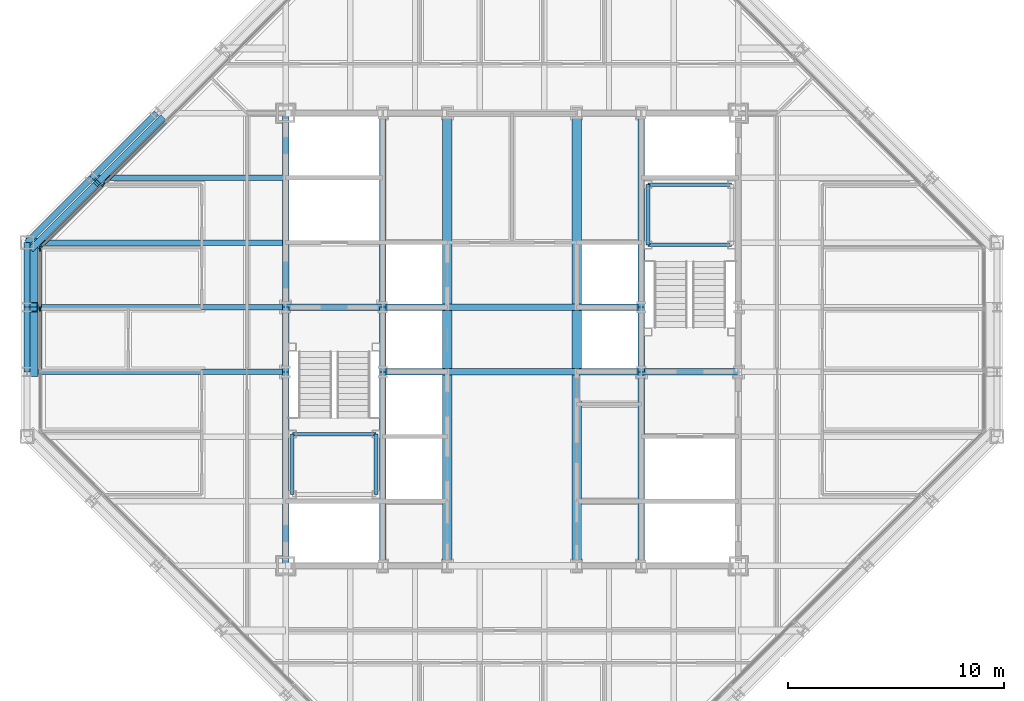
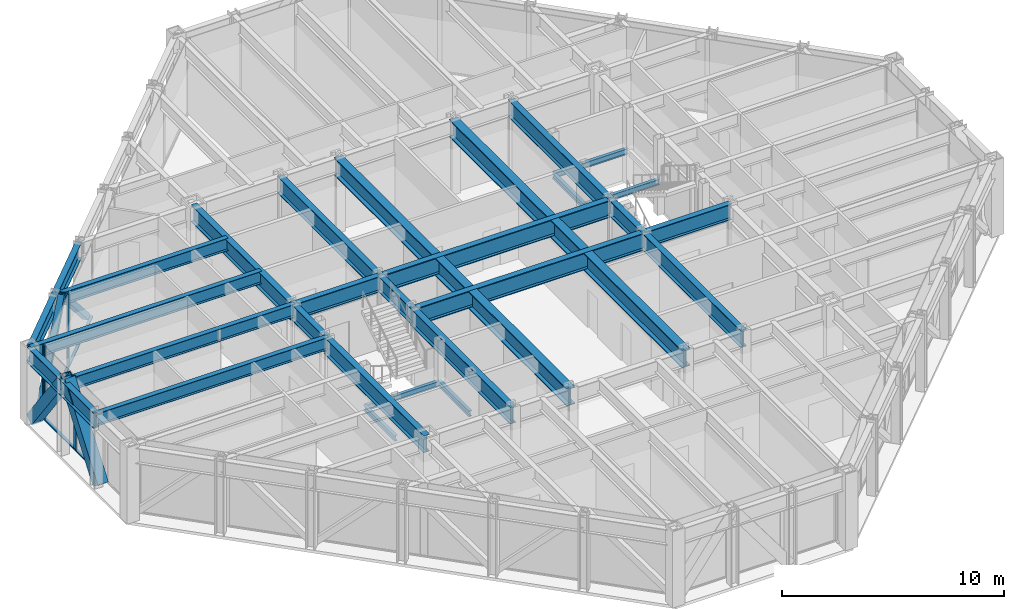
# One storey, part 6 of 15: 33 beams, 12 members, 2 elements without a shape of their own.
"""IFC4 building model written with IfcOpenShell, lengths in metres."""

from ifc_helpers import new_model, si_unit, direction, frame, origin, origin_2d, place, context, subcontext, project, spatial, rectangle, hollow_rectangle, i_section, extrude, material, layer, layer_set, material_profile, profile_set, type_object, element, aggregate, save


model = new_model("IFC4")

# Units and contexts
model_context = context("Model", 3, precision=1e-05, world=origin(), true_north=direction((0.0, 1.0)))
body_context = subcontext(model_context, "Body", "Model", "MODEL_VIEW")
ifc_project = project(units=[si_unit("LENGTHUNIT", "METRE"), si_unit("AREAUNIT", "SQUARE_METRE"), si_unit("VOLUMEUNIT", "CUBIC_METRE"), si_unit("PLANEANGLEUNIT", "RADIAN"), si_unit("MASSUNIT", "GRAM", prefix="KILO")], contexts=[model_context])

# Site, building, storey
site_placement = place(None, origin())
site = spatial("IfcSite", under=ifc_project, at=site_placement, CompositionType="ELEMENT")
building_placement = place(site_placement, origin())
building = spatial("IfcBuilding", under=site, at=building_placement, Name="Chuquiago Exchange Tower", CompositionType="ELEMENT")
storey_placement = place(building_placement, frame((0.0, 0.0, 262.199951171875)))
storey = spatial("IfcBuildingStorey", under=building, at=storey_placement, Name="L58", CompositionType="ELEMENT", Elevation=262.199951171875)

# Beams
ifc_material_1 = material(Name="Steel ASTM A992", Category="steel")
ifc_material_profile_1 = material_profile(ifc_material_1, i_section(OverallWidth=0.25390625, OverallDepth=0.683349609375, WebThickness=0.012451171875, FlangeThickness=0.018798828125, at=origin_2d()), Name="W27X94")
ifc_profile_set_1 = profile_set([ifc_material_profile_1], Name="Steel ASTM A992")
beam_type_1 = type_object("IfcBeamType", Name="B1 W27X94", PredefinedType="BEAM", material=ifc_profile_set_1)
for number, where, z_axis, x_axis, name in (
    (1, (12.0, 21.0, 3.698486328125), (-1.0, 0.0, 0.0), (0.0, -1.0, 0.0), "FB-L59-infill-12_21--0_21-0"),
    (2, (12.0, 24.0, 3.698486328125), (-1.0, 0.0, 0.0), (0.0, -1.0, 0.0), "FB-L59-infill-12_24--0_24-0"),
    (3, (12.0, 27.0, 3.698486328125), (-1.0, 0.0, 0.0), (0.0, -1.0, 0.0), "FB-L59-infill-12_27--0_27-0"),
):
    element("IfcBeam", number, at=place(storey_placement, frame(where, z_axis=z_axis, x_axis=x_axis)), inside=storey, type_object=beam_type_1, Name=name, PredefinedType="BEAM", context=body_context, shape_type="SweptSolid", body=[
        extrude(i_section(OverallWidth=0.25390625, OverallDepth=0.683349609375, WebThickness=0.012451171875, FlangeThickness=0.018798828125, at=origin_2d()), origin(), (0.0, 0.0, 1.0), 12.0),
    ])
beam_1_placement = place(storey_placement, frame((12.0, 30.0, 3.698486328125), z_axis=(-1.0, 0.0, 0.0), x_axis=(0.0, -1.0, 0.0)))
element("IfcBeam", 4, at=beam_1_placement, inside=storey, type_object=beam_type_1, Name="FB-L59-infill-12_30-3_30-0", PredefinedType="BEAM", context=body_context, shape_type="SweptSolid", body=[
    extrude(i_section(OverallWidth=0.25390625, OverallDepth=0.683349609375, WebThickness=0.012451171875, FlangeThickness=0.018798828125, at=origin_2d()), origin(), (0.0, 0.0, 1.0), 9.0),
])
ifc_material_2 = material(Name="Steel ASTM A992", Category="steel")
ifc_material_profile_2 = material_profile(ifc_material_2, i_section(OverallWidth=0.307373046875, OverallDepth=0.927001953125, WebThickness=0.01953125, FlangeThickness=0.031982421875, at=origin_2d()), Name="W36X194")
ifc_profile_set_2 = profile_set([ifc_material_profile_2], Name="Steel ASTM A992")
beam_type_2 = type_object("IfcBeamType", Name="B10 W36X194", PredefinedType="BEAM", material=ifc_profile_set_2)
for number, where, z_axis, x_axis, name in (
    (5, (12.0, 12.0, 3.576416015625), (0.0, 1.0, 0.0), (-1.0, 0.0, 0.0), "CB-L59-12_12-12_21"),
    (6, (12.0, 24.0, 3.576416015625), (0.0, 1.0, 0.0), (-1.0, 0.0, 0.0), "CB-L59-12_24-12_33"),
    (7, (16.5, 12.0, 3.576416015625), (0.0, 1.0, 0.0), (-1.0, 0.0, 0.0), "CB-L59-16.5_12-16.5_21"),
    (8, (16.5, 24.0, 3.576416015625), (0.0, 1.0, 0.0), (-1.0, 0.0, 0.0), "CB-L59-16.5_24-16.5_33"),
    (9, (28.5, 12.0, 3.576416015625), (0.0, 1.0, 0.0), (-1.0, 0.0, 0.0), "CB-L59-28.5_12-28.5_21"),
    (10, (28.5, 24.0, 3.576416015625), (0.0, 1.0, 0.0), (-1.0, 0.0, 0.0), "CB-L59-28.5_24-28.5_33"),
):
    element("IfcBeam", number, at=place(storey_placement, frame(where, z_axis=z_axis, x_axis=x_axis)), inside=storey, type_object=beam_type_2, Name=name, PredefinedType="BEAM", context=body_context, shape_type="SweptSolid", body=[
        extrude(i_section(OverallWidth=0.307373046875, OverallDepth=0.927001953125, WebThickness=0.01953125, FlangeThickness=0.031982421875, at=origin_2d()), origin(), (0.0, 0.0, 1.0), 9.0),
    ])
ifc_material_3 = material(Name="Steel ASTM A992", Category="steel")
ifc_material_profile_3 = material_profile(ifc_material_3, i_section(OverallWidth=0.309814453125, OverallDepth=0.949951171875, WebThickness=0.0244140625, FlangeThickness=0.0439453125, at=origin_2d()), Name="W36X256")
ifc_profile_set_3 = profile_set([ifc_material_profile_3], Name="Steel ASTM A992")
beam_type_3 = type_object("IfcBeamType", Name="B11 W36X256", PredefinedType="BEAM", material=ifc_profile_set_3)
for number, where, z_axis, x_axis, name in (
    (11, (16.5, 21.0, 3.56494140625), (1.0, 0.0, 0.0), (0.0, 1.0, 0.0), "CB-L59-16.5_21-28.5_21"),
    (12, (16.5, 24.0, 3.56494140625), (1.0, 0.0, 0.0), (0.0, 1.0, 0.0), "CB-L59-16.5_24-28.5_24"),
):
    element("IfcBeam", number, at=place(storey_placement, frame(where, z_axis=z_axis, x_axis=x_axis)), inside=storey, type_object=beam_type_3, Name=name, PredefinedType="BEAM", context=body_context, shape_type="SweptSolid", body=[
        extrude(i_section(OverallWidth=0.309814453125, OverallDepth=0.949951171875, WebThickness=0.0244140625, FlangeThickness=0.0439453125, at=origin_2d()), origin(), (0.0, 0.0, 1.0), 12.0),
    ])
ifc_material_4 = material(Name="Steel ASTM A992", Category="steel")
ifc_material_profile_4 = material_profile(ifc_material_4, i_section(OverallWidth=0.4267578125, OverallDepth=0.975341796875, WebThickness=0.031005859375, FlangeThickness=0.055908203125, at=origin_2d()), Name="W36X395")
ifc_profile_set_4 = profile_set([ifc_material_profile_4], Name="Steel ASTM A992")
beam_type_4 = type_object("IfcBeamType", Name="B12 W36X395", PredefinedType="BEAM", material=ifc_profile_set_4)
beam_2_placement = place(storey_placement, frame((19.5, 12.0, 3.55224609375), z_axis=(0.0, 1.0, 0.0), x_axis=(-1.0, 0.0, 0.0)))
element("IfcBeam", 13, at=beam_2_placement, inside=storey, type_object=beam_type_4, Name="CB-L59-19.5_12-19.5_20.8451", PredefinedType="BEAM", context=body_context, shape_type="SweptSolid", body=[
    extrude(i_section(OverallWidth=0.4267578125, OverallDepth=0.975341796875, WebThickness=0.031005859375, FlangeThickness=0.055908203125, at=origin_2d()), origin(), (0.0, 0.0, 1.0), 8.84521484375),
])
beam_3_placement = place(storey_placement, frame((19.5, 21.15478515625, 3.55224609375), z_axis=(0.0, 1.0, 0.0), x_axis=(-1.0, 0.0, 0.0)))
element("IfcBeam", 14, at=beam_3_placement, inside=storey, type_object=beam_type_4, Name="CB-L59-19.5_21.1549-19.5_23.8451", PredefinedType="BEAM", context=body_context, shape_type="SweptSolid", body=[
    extrude(i_section(OverallWidth=0.4267578125, OverallDepth=0.975341796875, WebThickness=0.031005859375, FlangeThickness=0.055908203125, at=origin_2d()), origin(), (0.0, 0.0, 1.0), 2.6904296875),
])
for number, where, z_axis, x_axis, name in (
    (15, (19.5, 24.15478515625, 3.55224609375), (0.0, 1.0, 0.0), (-1.0, 0.0, 0.0), "CB-L59-19.5_24.1549-19.5_33"),
    (16, (25.5, 12.0, 3.55224609375), (0.0, 1.0, 0.0), (-1.0, 0.0, 0.0), "CB-L59-25.5_12-25.5_20.8451"),
):
    element("IfcBeam", number, at=place(storey_placement, frame(where, z_axis=z_axis, x_axis=x_axis)), inside=storey, type_object=beam_type_4, Name=name, PredefinedType="BEAM", context=body_context, shape_type="SweptSolid", body=[
        extrude(i_section(OverallWidth=0.4267578125, OverallDepth=0.975341796875, WebThickness=0.031005859375, FlangeThickness=0.055908203125, at=origin_2d()), origin(), (0.0, 0.0, 1.0), 8.84521484375),
    ])
beam_4_placement = place(storey_placement, frame((25.5, 21.15478515625, 3.55224609375), z_axis=(0.0, 1.0, 0.0), x_axis=(-1.0, 0.0, 0.0)))
element("IfcBeam", 17, at=beam_4_placement, inside=storey, type_object=beam_type_4, Name="CB-L59-25.5_21.1549-25.5_23.8451", PredefinedType="BEAM", context=body_context, shape_type="SweptSolid", body=[
    extrude(i_section(OverallWidth=0.4267578125, OverallDepth=0.975341796875, WebThickness=0.031005859375, FlangeThickness=0.055908203125, at=origin_2d()), origin(), (0.0, 0.0, 1.0), 2.6904296875),
])
beam_5_placement = place(storey_placement, frame((25.5, 24.15478515625, 3.55224609375), z_axis=(0.0, 1.0, 0.0), x_axis=(-1.0, 0.0, 0.0)))
element("IfcBeam", 18, at=beam_5_placement, inside=storey, type_object=beam_type_4, Name="CB-L59-25.5_24.1549-25.5_33", PredefinedType="BEAM", context=body_context, shape_type="SweptSolid", body=[
    extrude(i_section(OverallWidth=0.4267578125, OverallDepth=0.975341796875, WebThickness=0.031005859375, FlangeThickness=0.055908203125, at=origin_2d()), origin(), (0.0, 0.0, 1.0), 8.84521484375),
])
ifc_material_5 = material(Name="Steel ASTM A992", Category="steel")
ifc_material_profile_5 = material_profile(ifc_material_5, i_section(OverallWidth=0.2919921875, OverallDepth=0.8583984375, WebThickness=0.01708984375, FlangeThickness=0.031005859375, at=origin_2d()), Name="W33X169")
ifc_profile_set_5 = profile_set([ifc_material_profile_5], Name="Steel ASTM A992")
beam_type_5 = type_object("IfcBeamType", Name="B3 W33X169", PredefinedType="BEAM", material=ifc_profile_set_5)
for number, where, z_axis, x_axis, name in (
    (19, (12.0, 21.0, 3.61083984375), (0.0, 1.0, 0.0), (-1.0, 0.0, 0.0), "CB-L59-12_21-12_24"),
    (20, (16.5, 21.0, 3.61083984375), (0.0, 1.0, 0.0), (-1.0, 0.0, 0.0), "CB-L59-16.5_21-16.5_24"),
    (21, (28.5, 21.0, 3.61083984375), (0.0, 1.0, 0.0), (-1.0, 0.0, 0.0), "CB-L59-28.5_21-28.5_24"),
):
    element("IfcBeam", number, at=place(storey_placement, frame(where, z_axis=z_axis, x_axis=x_axis)), inside=storey, type_object=beam_type_5, Name=name, PredefinedType="BEAM", context=body_context, shape_type="SweptSolid", body=[
        extrude(i_section(OverallWidth=0.2919921875, OverallDepth=0.8583984375, WebThickness=0.01708984375, FlangeThickness=0.031005859375, at=origin_2d()), origin(), (0.0, 0.0, 1.0), 3.0),
    ])
for number, where, z_axis, x_axis, name in (
    (22, (28.5, 21.0, 3.61083984375), (1.0, 0.0, 0.0), (0.0, 1.0, 0.0), "CB-L59-28.5_21-33_21"),
    (23, (12.0, 24.0, 3.61083984375), (1.0, 0.0, 0.0), (0.0, 1.0, 0.0), "CB-L59-12_24-16.5_24"),
):
    element("IfcBeam", number, at=place(storey_placement, frame(where, z_axis=z_axis, x_axis=x_axis)), inside=storey, type_object=beam_type_5, Name=name, PredefinedType="BEAM", context=body_context, shape_type="SweptSolid", body=[
        extrude(i_section(OverallWidth=0.2919921875, OverallDepth=0.8583984375, WebThickness=0.01708984375, FlangeThickness=0.031005859375, at=origin_2d()), origin(), (0.0, 0.0, 1.0), 4.5),
    ])

# Curtain wall, members
ifc_material_6 = material(Name="Aluminium curtain wall system", Category="aluminium")
ifc_layer_1 = layer(ifc_material_6, 0.22509765625)
ifc_layer_set_1 = layer_set([ifc_layer_1], Name="CW2 office curtain wall")
curtain_wall_type_1 = type_object("IfcCurtainWallType", Name="CW2 office curtain wall", PredefinedType="NOTDEFINED", material=ifc_layer_set_1)
curtain_wall_1_placement = place(storey_placement, origin())
curtain_wall_1 = element("IfcCurtainWall", 24, at=curtain_wall_1_placement, inside=storey, type_object=curtain_wall_type_1, Name="CW2 curtain wall L58", PredefinedType="NOTDEFINED")
ifc_material_7 = material(Name="Aluminium mullion, pale anodised", Category="aluminium")
ifc_material_profile_6 = material_profile(ifc_material_7, rectangle(XDim=0.06494140625, YDim=0.22509765625, at=origin_2d()), Name="AL 65x225")
ifc_profile_set_6 = profile_set([ifc_material_profile_6], Name="Aluminium mullion, pale anodised")
member_type_1 = type_object("IfcMemberType", Name="CW2-M mullion 65x225", PredefinedType="MULLION", material=ifc_profile_set_6)
member_1_placement = place(storey_placement, frame((0.60009765625, 26.718994140625, 0.0), z_axis=(0.0, 0.0, 1.0), x_axis=(1.0, 0.0, 0.0)))
member_1 = element("IfcMember", 25, at=member_1_placement, type_object=member_type_1, Name="CW2 mullion 1", PredefinedType="MULLION", context=body_context, shape_type="SweptSolid", body=[
    extrude(rectangle(XDim=0.06494140625, YDim=0.22509765625, at=origin_2d()), origin(), (0.0, 0.0, 1.0), 4.0400390625),
])
member_2_placement = place(storey_placement, frame((0.60009765625, 23.917236328125, 0.0), z_axis=(0.0, 0.0, 1.0), x_axis=(1.0, 0.0, 0.0)))
member_2 = element("IfcMember", 26, at=member_2_placement, type_object=member_type_1, Name="CW2 mullion 2", PredefinedType="MULLION", context=body_context, shape_type="SweptSolid", body=[
    extrude(rectangle(XDim=0.06494140625, YDim=0.22509765625, at=origin_2d()), origin(), (0.0, 0.0, 1.0), 4.0400390625),
])
ifc_material_8 = material(Name="Aluminium transom, pale anodised", Category="aluminium")
ifc_material_profile_7 = material_profile(ifc_material_8, rectangle(XDim=0.139892578125, YDim=0.06494140625, at=origin_2d()), Name="AL 140x65")
ifc_profile_set_7 = profile_set([ifc_material_profile_7], Name="Aluminium transom, pale anodised")
member_type_2 = type_object("IfcMemberType", Name="CW2-T transom 65x140", PredefinedType="MULLION", material=ifc_profile_set_7)
member_3_placement = place(storey_placement, frame((0.60009765625, 26.6865234375, 0.032470703125), z_axis=(0.0, -1.0, 0.0), x_axis=(1.0, 0.0, 0.0)))
member_3 = element("IfcMember", 27, at=member_3_placement, type_object=member_type_2, Name="CW2 transom 1.1", PredefinedType="MULLION", context=body_context, shape_type="SweptSolid", body=[
    extrude(rectangle(XDim=0.139892578125, YDim=0.06494140625, at=origin_2d()), origin(), (0.0, 0.0, 1.0), 2.73681640625),
])
member_4_placement = place(storey_placement, frame((0.60009765625, 23.884765625, 0.032470703125), z_axis=(0.0, -1.0, 0.0), x_axis=(1.0, 0.0, 0.0)))
member_4 = element("IfcMember", 28, at=member_4_placement, type_object=member_type_2, Name="CW2 transom 2.1", PredefinedType="MULLION", context=body_context, shape_type="SweptSolid", body=[
    extrude(rectangle(XDim=0.139892578125, YDim=0.06494140625, at=origin_2d()), origin(), (0.0, 0.0, 1.0), 2.76953125),
])
aggregate(curtain_wall_1, [member_1, member_2, member_3, member_4])

ifc_material_9 = material(Name="Aluminium curtain wall system", Category="aluminium")
ifc_layer_2 = layer(ifc_material_9, 0.199951171875)
ifc_layer_set_2 = layer_set([ifc_layer_2], Name="CW3 facet curtain wall")
curtain_wall_type_2 = type_object("IfcCurtainWallType", Name="CW3 facet curtain wall", PredefinedType="NOTDEFINED", material=ifc_layer_set_2)
curtain_wall_2_placement = place(storey_placement, origin())
curtain_wall_2 = element("IfcCurtainWall", 29, at=curtain_wall_2_placement, inside=storey, type_object=curtain_wall_type_2, Name="CW3 curtain wall L58", PredefinedType="NOTDEFINED")
ifc_material_10 = material(Name="Aluminium mullion, pale anodised", Category="aluminium")
ifc_material_profile_8 = material_profile(ifc_material_10, rectangle(XDim=0.06494140625, YDim=0.199951171875, at=origin_2d()), Name="AL 65x200")
ifc_profile_set_8 = profile_set([ifc_material_profile_8], Name="Aluminium mullion, pale anodised")
member_type_3 = type_object("IfcMemberType", Name="CW3-M mullion 65x200", PredefinedType="MULLION", material=ifc_profile_set_8)
member_5_placement = place(storey_placement, frame((3.54150390625, 29.69287109375, 0.0), z_axis=(0.0, 0.0, 1.0), x_axis=(0.707106781187, -0.707106781187, 0.0)))
member_5 = element("IfcMember", 30, at=member_5_placement, type_object=member_type_3, Name="CW3 mullion 6", PredefinedType="MULLION", context=body_context, shape_type="SweptSolid", body=[
    extrude(rectangle(XDim=0.06494140625, YDim=0.199951171875, at=origin_2d()), origin(), (0.0, 0.0, 1.0), 4.0400390625),
])
member_6_placement = place(storey_placement, frame((0.623046875, 26.7744140625, 0.0), z_axis=(0.0, 0.0, 1.0), x_axis=(0.707106781187, -0.707106781187, 0.0)))
member_6 = element("IfcMember", 31, at=member_6_placement, type_object=member_type_3, Name="CW3 mullion 7", PredefinedType="MULLION", context=body_context, shape_type="SweptSolid", body=[
    extrude(rectangle(XDim=0.06494140625, YDim=0.199951171875, at=origin_2d()), origin(), (0.0, 0.0, 1.0), 4.0400390625),
])
ifc_material_11 = material(Name="Aluminium transom, pale anodised", Category="aluminium")
ifc_material_profile_9 = material_profile(ifc_material_11, rectangle(XDim=0.139892578125, YDim=0.06494140625, at=origin_2d()), Name="AL 140x65")
ifc_profile_set_9 = profile_set([ifc_material_profile_9], Name="Aluminium transom, pale anodised")
member_type_4 = type_object("IfcMemberType", Name="CW3-T transom 65x140", PredefinedType="MULLION", material=ifc_profile_set_9)
member_7_placement = place(storey_placement, frame((6.4599609375, 32.611328125, 0.032470703125), z_axis=(-0.707106781187, -0.707106781187, 0.0), x_axis=(0.707106781187, -0.707106781187, 0.0)))
member_7 = element("IfcMember", 32, at=member_7_placement, type_object=member_type_4, Name="CW3 transom 5.1", PredefinedType="MULLION", context=body_context, shape_type="SweptSolid", body=[
    extrude(rectangle(XDim=0.139892578125, YDim=0.06494140625, at=origin_2d()), origin(), (0.0, 0.0, 1.0), 4.094970703125),
])
member_8_placement = place(storey_placement, frame((3.5185546875, 29.669921875, 0.032470703125), z_axis=(-0.707106781187, -0.707106781187, 0.0), x_axis=(0.707106781187, -0.707106781187, 0.0)))
member_8 = element("IfcMember", 33, at=member_8_placement, type_object=member_type_4, Name="CW3 transom 6.1", PredefinedType="MULLION", context=body_context, shape_type="SweptSolid", body=[
    extrude(rectangle(XDim=0.139892578125, YDim=0.06494140625, at=origin_2d()), origin(), (0.0, 0.0, 1.0), 4.0625),
])
aggregate(curtain_wall_2, [member_5, member_6, member_7, member_8])

# Members
ifc_material_12 = material(Name="Steel ASTM A500 Grade C", Category="steel")
ifc_material_profile_10 = material_profile(ifc_material_12, hollow_rectangle(XDim=0.3046875, YDim=0.3046875, WallThickness=0.0146484375, at=origin_2d()), Name="HSS12X12X5/8")
ifc_profile_set_10 = profile_set([ifc_material_profile_10], Name="Steel ASTM A500 Grade C")
member_type_5 = type_object("IfcMemberType", Name="LB3 HSS12X12X5/8", PredefinedType="BRACE", material=ifc_profile_set_10)
for number, where, z_axis, x_axis, name in (
    (34, (6.249267578125, 32.750732421875, 0.0), (-0.512077265487, -0.512077265487, 0.689604051861), (0.707106781187, -0.707106781187, 0.0), "LB-L58-6_33-3_30"),
    (35, (0.249267578125, 26.750732421875, 0.0), (0.512077265487, 0.512077265487, 0.689604051861), (-0.707106781187, 0.707106781187, 0.0), "LB-L58-3_30-0_27"),
):
    element("IfcMember", number, at=place(storey_placement, frame(where, z_axis=z_axis, x_axis=x_axis)), inside=storey, type_object=member_type_5, Name=name, PredefinedType="BRACE", context=body_context, shape_type="SweptSolid", body=[
        extrude(hollow_rectangle(XDim=0.3046875, YDim=0.3046875, WallThickness=0.0146484375, at=origin_2d()), origin(), (0.0, 0.0, 1.0), 5.8583984375),
    ])

# Beams
ifc_material_13 = material(Name="Steel ASTM A992", Category="steel")
ifc_material_profile_11 = material_profile(ifc_material_13, i_section(OverallWidth=0.164794921875, OverallDepth=0.309814453125, WebThickness=0.005859375, FlangeThickness=0.009765625, at=origin_2d()), Name="W12X26")
ifc_profile_set_11 = profile_set([ifc_material_profile_11], Name="Steel ASTM A992")
beam_type_6 = type_object("IfcBeamType", Name="LS1 W12X26", PredefinedType="BEAM", material=ifc_profile_set_11)
for number, where, z_axis, x_axis, name in (
    (36, (12.31005859375, 15.31005859375, 1.7451171875), (0.0, 1.0, 0.0), (-1.0, 0.0, 0.0), "Stair ST1 L58 landing 1 stringer"),
    (37, (16.18994140625, 15.31005859375, 1.7451171875), (0.0, 1.0, 0.0), (-1.0, 0.0, 0.0), "Stair ST1 L58 landing 1 stringer"),
    (38, (28.81005859375, 26.889892578125, 1.7451171875), (0.0, 1.0, 0.0), (-1.0, 0.0, 0.0), "Stair ST2 L58 landing 1 stringer"),
):
    element("IfcBeam", number, at=place(storey_placement, frame(where, z_axis=z_axis, x_axis=x_axis)), inside=storey, type_object=beam_type_6, Name=name, PredefinedType="BEAM", context=body_context, shape_type="SweptSolid", body=[
        extrude(i_section(OverallWidth=0.164794921875, OverallDepth=0.309814453125, WebThickness=0.005859375, FlangeThickness=0.009765625, at=origin_2d()), origin(), (0.0, 0.0, 1.0), 2.800048828125),
    ])
ifc_material_14 = material(Name="Steel ASTM A992", Category="steel")
ifc_material_profile_12 = material_profile(ifc_material_14, i_section(OverallWidth=0.164794921875, OverallDepth=0.309814453125, WebThickness=0.005859375, FlangeThickness=0.009765625, at=origin_2d()), Name="W12X26")
ifc_profile_set_12 = profile_set([ifc_material_profile_12], Name="Steel ASTM A992")
beam_type_7 = type_object("IfcBeamType", Name="LT1 W12X26", PredefinedType="BEAM", material=ifc_profile_set_12)
for number, where, z_axis, x_axis, name in (
    (39, (12.31005859375, 18.110107421875, 1.7451171875), (1.0, 0.0, 0.0), (0.0, 1.0, 0.0), "Stair ST1 L58 landing 1 trimmer"),
    (40, (28.81005859375, 29.68994140625, 1.7451171875), (1.0, 0.0, 0.0), (0.0, 1.0, 0.0), "Stair ST2 L58 landing 1 trimmer"),
    (41, (28.81005859375, 26.889892578125, 1.7451171875), (1.0, 0.0, 0.0), (0.0, 1.0, 0.0), "Stair ST2 L58 landing 1 trimmer"),
):
    element("IfcBeam", number, at=place(storey_placement, frame(where, z_axis=z_axis, x_axis=x_axis)), inside=storey, type_object=beam_type_7, Name=name, PredefinedType="BEAM", context=body_context, shape_type="SweptSolid", body=[
        extrude(i_section(OverallWidth=0.164794921875, OverallDepth=0.309814453125, WebThickness=0.005859375, FlangeThickness=0.009765625, at=origin_2d()), origin(), (0.0, 0.0, 1.0), 3.8798828125),
    ])

# Members
ifc_material_15 = material(Name="Steel ASTM A572 Grade 50", Category="steel")
ifc_material_profile_13 = material_profile(ifc_material_15, hollow_rectangle(XDim=0.550048828125, YDim=0.550048828125, WallThickness=0.044921875, at=origin_2d()), Name="BOX550X550X45")
ifc_profile_set_13 = profile_set([ifc_material_profile_13], Name="Steel ASTM A572 Grade 50")
member_type_6 = type_object("IfcMemberType", Name="MB4 BOX550X550X45", PredefinedType="BRACE", material=ifc_profile_set_13)
for number, where, z_axis, x_axis, name in (
    (42, (0.22998046875, 27.0, 0.0), (0.0, -0.596173923302, 0.802855312728), (1.0, 0.0, 0.0), "Mega diagonal L58 W face"),
    (43, (0.22998046875, 21.0, 0.0), (0.0, 0.596173923302, 0.802855312728), (-1.0, 0.0, 0.0), "Mega diagonal L58 W face"),
):
    element("IfcMember", number, at=place(storey_placement, frame(where, z_axis=z_axis, x_axis=x_axis)), inside=storey, type_object=member_type_6, Name=name, PredefinedType="BRACE", context=body_context, shape_type="SweptSolid", body=[
        extrude(hollow_rectangle(XDim=0.550048828125, YDim=0.550048828125, WallThickness=0.044921875, at=origin_2d()), origin(), (0.0, 0.0, 1.0), 5.031982421875),
    ])

# Beams
ifc_material_16 = material(Name="Steel ASTM A992", Category="steel")
ifc_material_profile_14 = material_profile(ifc_material_16, i_section(OverallWidth=0.2919921875, OverallDepth=0.8583984375, WebThickness=0.01708984375, FlangeThickness=0.031005859375, at=origin_2d()), Name="W33X169")
ifc_profile_set_14 = profile_set([ifc_material_profile_14], Name="Steel ASTM A992")
beam_type_8 = type_object("IfcBeamType", Name="SP4 W33X169", PredefinedType="SPANDREL", material=ifc_profile_set_14)
for number, where, z_axis, x_axis, name in (
    (44, (6.0, 33.0, 3.61083984375), (-0.707106781187, -0.707106781187, 0.0), (0.707106781187, -0.707106781187, 0.0), "SPB-L59-6_33-3_30"),
    (45, (3.0, 30.0, 3.61083984375), (-0.707106781187, -0.707106781187, 0.0), (0.707106781187, -0.707106781187, 0.0), "SPB-L59-3_30-0_27"),
):
    element("IfcBeam", number, at=place(storey_placement, frame(where, z_axis=z_axis, x_axis=x_axis)), inside=storey, type_object=beam_type_8, Name=name, PredefinedType="SPANDREL", context=body_context, shape_type="SweptSolid", body=[
        extrude(i_section(OverallWidth=0.2919921875, OverallDepth=0.8583984375, WebThickness=0.01708984375, FlangeThickness=0.031005859375, at=origin_2d()), origin(), (0.0, 0.0, 1.0), 4.24267578125),
    ])
for number, where, z_axis, x_axis, name in (
    (46, (0.0, 27.0, 3.61083984375), (0.0, -1.0, 0.0), (1.0, 0.0, 0.0), "SPB-L59-0_27-0_24"),
    (47, (0.0, 24.0, 3.61083984375), (0.0, -1.0, 0.0), (1.0, 0.0, 0.0), "SPB-L59-0_24-0_21"),
):
    element("IfcBeam", number, at=place(storey_placement, frame(where, z_axis=z_axis, x_axis=x_axis)), inside=storey, type_object=beam_type_8, Name=name, PredefinedType="SPANDREL", context=body_context, shape_type="SweptSolid", body=[
        extrude(i_section(OverallWidth=0.2919921875, OverallDepth=0.8583984375, WebThickness=0.01708984375, FlangeThickness=0.031005859375, at=origin_2d()), origin(), (0.0, 0.0, 1.0), 3.0),
    ])

save(model, "model.ifc")
